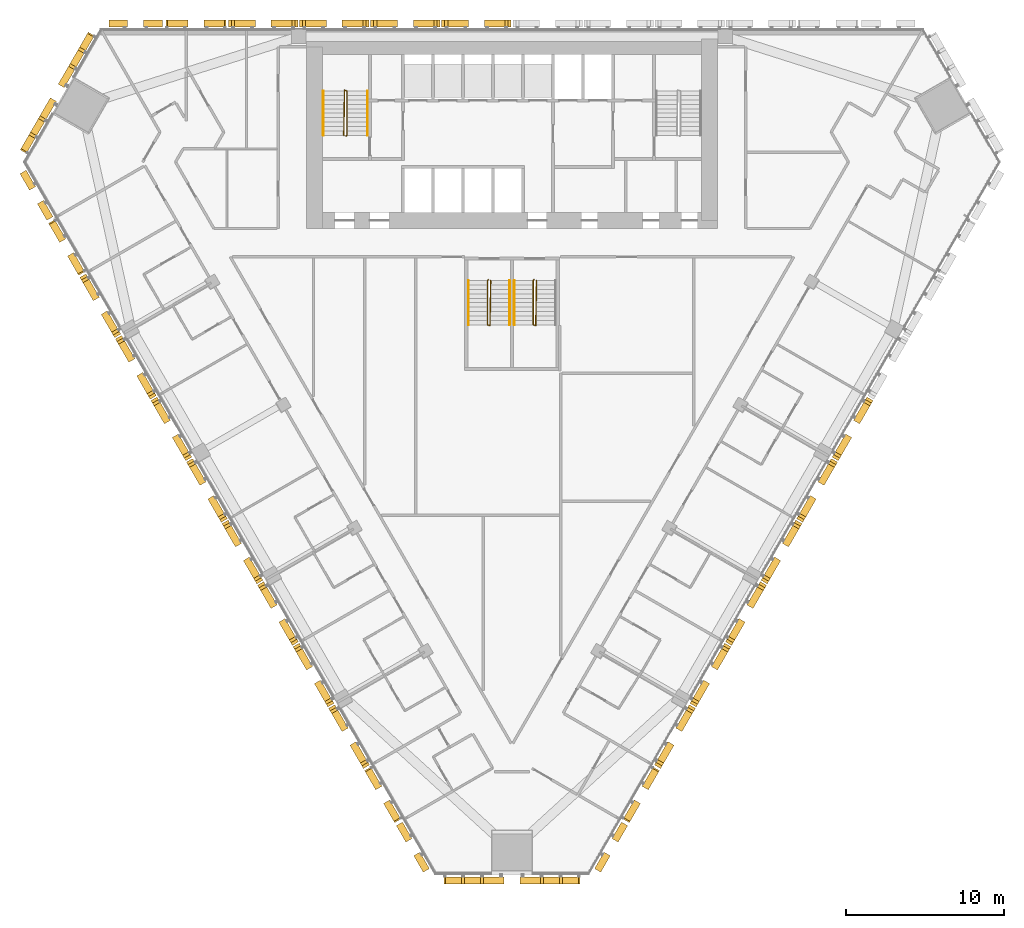
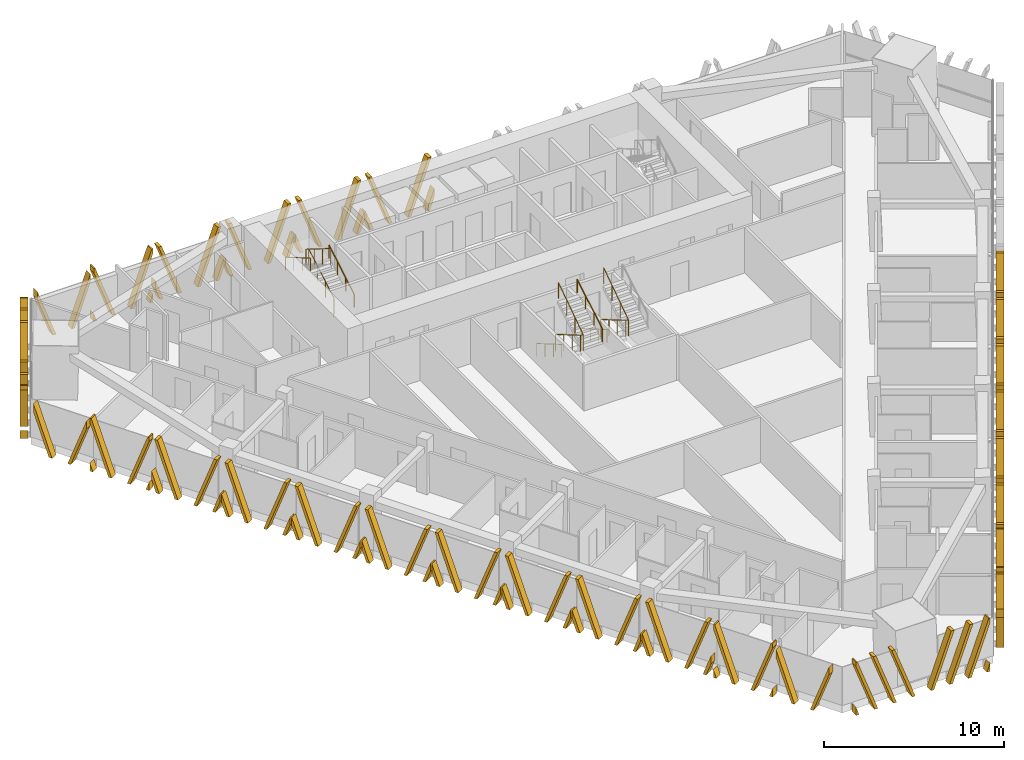
# One storey, part 16 of 18: 28 shading devices, 8 railings.
"""IFC4 building model written with IfcOpenShell, lengths in metres."""

from ifc_helpers import new_model, si_unit, direction, frame, origin, origin_2d, place, context, subcontext, project, spatial, polyline, circle, outline, extrude, source, transform, mapped, material, type_object, element, save


model = new_model("IFC4")

# Units and contexts
model_context = context("Model", 3, precision=1e-05, world=origin(), true_north=direction((0.0, 1.0)))
body_context = subcontext(model_context, "Body", "Model", "MODEL_VIEW")
ifc_project = project(units=[si_unit("LENGTHUNIT", "METRE"), si_unit("AREAUNIT", "SQUARE_METRE"), si_unit("VOLUMEUNIT", "CUBIC_METRE"), si_unit("PLANEANGLEUNIT", "RADIAN"), si_unit("MASSUNIT", "GRAM", prefix="KILO")], contexts=[model_context])

# Site, building, storey
site_placement = place(None, origin())
site = spatial("IfcSite", under=ifc_project, at=site_placement, CompositionType="ELEMENT")
building_placement = place(site_placement, origin())
building = spatial("IfcBuilding", under=site, at=building_placement, Name="Altiplano Prism Tower", CompositionType="ELEMENT")
storey_placement = place(building_placement, frame((0.0, 0.0, 41.39990234375)))
storey = spatial("IfcBuildingStorey", under=building, at=storey_placement, Name="L09", CompositionType="ELEMENT", Elevation=41.39990234375)

# Railings
ifc_material_1 = material(Name="Steel S355", Category="steel")
railing_type_1 = type_object("IfcRailingType", Name="Stair guard 1100", PredefinedType="GUARDRAIL", material=ifc_material_1)
railing_1_placement = place(storey_placement, frame((74.5, 98.25, 0.0)))
element("IfcRailing", 1, at=railing_1_placement, inside=storey, type_object=railing_type_1, Name="L09 ST1 stair guard 1", PredefinedType="GUARDRAIL", context=body_context, shape_type="SweptSolid", body=[
    extrude(circle(Radius=0.02392578125, at=origin_2d()), frame((0.0, 0.0, 1.076171875), z_axis=(0.280456126637, 0.280456126637, 0.917980785237), x_axis=(-0.707106781187, 0.707106781187, 0.0)), (0.0, 0.0, 1.0), 0.178466796875),
    extrude(circle(Radius=0.02392578125, at=origin_2d()), frame((0.050048828125, 0.050048828125, 1.23974609375), z_axis=(0.0, 0.863393664356, 0.504530851732), x_axis=(-1.0, 0.0, 0.0)), (0.0, 0.0, 1.0), 3.2431640625),
    extrude(circle(Radius=0.02392578125, at=origin_2d()), frame((0.050048828125, 2.85009765625, 2.8759765625), z_axis=(-0.949145278916, 0.314838433982, 0.0), x_axis=(-0.314838433982, -0.949145278916, 0.0)), (0.0, 0.0, 1.0), 0.158203125),
    extrude(circle(Radius=0.02392578125, at=origin_2d()), frame((-0.10009765625, 2.89990234375, 2.8759765625), z_axis=(-0.01477401265, -0.845377694409, 0.533964682676), x_axis=(0.999847325713, -0.01747355902, 0.0)), (0.0, 0.0, 1.0), 3.37109375),
    extrude(circle(Radius=0.02099609375, at=origin_2d()), origin(), (0.0, 0.0, 1.0), 1.052001953125),
    extrude(circle(Radius=0.02099609375, at=origin_2d()), frame((0.050048828125, 0.050048828125, 0.163818359375)), (0.0, 0.0, 1.0), 1.052001953125),
    extrude(circle(Radius=0.02099609375, at=origin_2d()), frame((0.050048828125, 0.9833984375, 0.709228515625)), (0.0, 0.0, 1.0), 1.052001953125),
    extrude(circle(Radius=0.02099609375, at=origin_2d()), frame((0.050048828125, 1.916748046875, 1.254638671875)), (0.0, 0.0, 1.0), 1.052001953125),
    extrude(circle(Radius=0.02099609375, at=origin_2d()), frame((0.050048828125, 2.85009765625, 1.800048828125)), (0.0, 0.0, 1.0), 1.052001953125),
    extrude(circle(Radius=0.02099609375, at=origin_2d()), frame((-0.10009765625, 2.89990234375, 1.800048828125)), (0.0, 0.0, 1.0), 1.052001953125),
    extrude(circle(Radius=0.02099609375, at=origin_2d()), frame((-0.11669921875, 1.949951171875, 2.400146484375)), (0.0, 0.0, 1.0), 1.052001953125),
    extrude(circle(Radius=0.02099609375, at=origin_2d()), frame((-0.13330078125, 1.0, 3.0)), (0.0, 0.0, 1.0), 1.052001953125),
    extrude(circle(Radius=0.02099609375, at=origin_2d()), frame((-0.14990234375, 0.050048828125, 3.60009765625)), (0.0, 0.0, 1.0), 1.052001953125),
])
railing_2_placement = place(storey_placement, frame((83.5, 89.14990234375, 0.0)))
element("IfcRailing", 2, at=railing_2_placement, inside=storey, type_object=railing_type_1, Name="L09 ST3A stair guard 1", PredefinedType="GUARDRAIL", context=body_context, shape_type="SweptSolid", body=[
    extrude(circle(Radius=0.02392578125, at=origin_2d()), frame((0.0, 0.0, 1.076171875), z_axis=(-0.280563532951, -0.279194930351, 0.91833234444), x_axis=(0.705375805398, -0.708833529934, 0.0)), (0.0, 0.0, 1.0), 0.178466796875),
    extrude(circle(Radius=0.02392578125, at=origin_2d()), frame((-0.050048828125, -0.0498046875, 1.23974609375), z_axis=(0.0, -0.863393664356, 0.504530851732), x_axis=(1.0, 0.0, 0.0)), (0.0, 0.0, 1.0), 3.2431640625),
    extrude(circle(Radius=0.02392578125, at=origin_2d()), frame((-0.050048828125, -2.849853515625, 2.8759765625), z_axis=(0.948683298051, -0.316227766017, 0.0), x_axis=(0.316227766017, 0.948683298051, 0.0)), (0.0, 0.0, 1.0), 0.158203125),
    extrude(circle(Radius=0.02392578125, at=origin_2d()), frame((0.10009765625, -2.89990234375, 2.8759765625), z_axis=(0.014773108175, 0.84539835705, 0.533931993021), x_axis=(-0.999847351862, 0.017472062685, 0.0)), (0.0, 0.0, 1.0), 3.371337890625),
    extrude(circle(Radius=0.02099609375, at=origin_2d()), origin(), (0.0, 0.0, 1.0), 1.052001953125),
    extrude(circle(Radius=0.02099609375, at=origin_2d()), frame((-0.050048828125, -0.0498046875, 0.163818359375)), (0.0, 0.0, 1.0), 1.052001953125),
    extrude(circle(Radius=0.02099609375, at=origin_2d()), frame((-0.050048828125, -0.983154296875, 0.709228515625)), (0.0, 0.0, 1.0), 1.052001953125),
    extrude(circle(Radius=0.02099609375, at=origin_2d()), frame((-0.050048828125, -1.91650390625, 1.254638671875)), (0.0, 0.0, 1.0), 1.052001953125),
    extrude(circle(Radius=0.02099609375, at=origin_2d()), frame((-0.050048828125, -2.849853515625, 1.800048828125)), (0.0, 0.0, 1.0), 1.052001953125),
    extrude(circle(Radius=0.02099609375, at=origin_2d()), frame((0.10009765625, -2.89990234375, 1.800048828125)), (0.0, 0.0, 1.0), 1.052001953125),
    extrude(circle(Radius=0.02099609375, at=origin_2d()), frame((0.11669921875, -1.949951171875, 2.400146484375)), (0.0, 0.0, 1.0), 1.052001953125),
    extrude(circle(Radius=0.02099609375, at=origin_2d()), frame((0.13330078125, -0.999755859375, 3.0)), (0.0, 0.0, 1.0), 1.052001953125),
    extrude(circle(Radius=0.02099609375, at=origin_2d()), frame((0.14990234375, -0.0498046875, 3.60009765625)), (0.0, 0.0, 1.0), 1.052001953125),
])
railing_3_placement = place(storey_placement, frame((86.39990234375, 89.14990234375, 0.0)))
element("IfcRailing", 3, at=railing_3_placement, inside=storey, type_object=railing_type_1, Name="L09 ST3B stair guard 1", PredefinedType="GUARDRAIL", context=body_context, shape_type="SweptSolid", body=[
    extrude(circle(Radius=0.02392578125, at=origin_2d()), frame((0.0, 0.0, 1.076171875), z_axis=(-0.279301935624, -0.279301935624, 0.918684307863), x_axis=(0.707106781187, -0.707106781187, 0.0)), (0.0, 0.0, 1.0), 0.17822265625),
    extrude(circle(Radius=0.02392578125, at=origin_2d()), frame((-0.0498046875, -0.0498046875, 1.23974609375), z_axis=(0.0, -0.863393664356, 0.504530851732), x_axis=(1.0, 0.0, 0.0)), (0.0, 0.0, 1.0), 3.2431640625),
    extrude(circle(Radius=0.02392578125, at=origin_2d()), frame((-0.0498046875, -2.849853515625, 2.8759765625), z_axis=(0.948528701346, -0.316691178788, 0.0), x_axis=(0.316691178788, 0.948528701346, 0.0)), (0.0, 0.0, 1.0), 0.157958984375),
    extrude(circle(Radius=0.02392578125, at=origin_2d()), frame((0.10009765625, -2.89990234375, 2.8759765625), z_axis=(0.014845509451, 0.845397450405, 0.533931420407), x_axis=(-0.999845851991, 0.017557683712, 0.0)), (0.0, 0.0, 1.0), 3.371337890625),
    extrude(circle(Radius=0.02099609375, at=origin_2d()), origin(), (0.0, 0.0, 1.0), 1.052001953125),
    extrude(circle(Radius=0.02099609375, at=origin_2d()), frame((-0.0498046875, -0.0498046875, 0.163818359375)), (0.0, 0.0, 1.0), 1.052001953125),
    extrude(circle(Radius=0.02099609375, at=origin_2d()), frame((-0.0498046875, -0.983154296875, 0.709228515625)), (0.0, 0.0, 1.0), 1.052001953125),
    extrude(circle(Radius=0.02099609375, at=origin_2d()), frame((-0.0498046875, -1.91650390625, 1.254638671875)), (0.0, 0.0, 1.0), 1.052001953125),
    extrude(circle(Radius=0.02099609375, at=origin_2d()), frame((-0.0498046875, -2.849853515625, 1.800048828125)), (0.0, 0.0, 1.0), 1.052001953125),
    extrude(circle(Radius=0.02099609375, at=origin_2d()), frame((0.10009765625, -2.89990234375, 1.800048828125)), (0.0, 0.0, 1.0), 1.052001953125),
    extrude(circle(Radius=0.02099609375, at=origin_2d()), frame((0.11669921875, -1.949951171875, 2.400146484375)), (0.0, 0.0, 1.0), 1.052001953125),
    extrude(circle(Radius=0.02099609375, at=origin_2d()), frame((0.133544921875, -0.999755859375, 3.0)), (0.0, 0.0, 1.0), 1.052001953125),
    extrude(circle(Radius=0.02099609375, at=origin_2d()), frame((0.150146484375, -0.0498046875, 3.60009765625)), (0.0, 0.0, 1.0), 1.052001953125),
])
railing_type_2 = type_object("IfcRailingType", Name="Stair handrail 900", PredefinedType="HANDRAIL", material=ifc_material_1)
railing_4_placement = place(storey_placement, frame((75.85009765625, 98.300048828125, 0.163818359375)))
element("IfcRailing", 4, at=railing_4_placement, inside=storey, type_object=railing_type_2, Name="L09 ST1 stair handrail 1", PredefinedType="HANDRAIL", context=body_context, shape_type="SweptSolid", body=[
    extrude(circle(Radius=0.02392578125, at=origin_2d()), frame((0.0, 0.0, 0.8759765625), z_axis=(0.0, 0.863393664356, 0.504530851732), x_axis=(-1.0, 0.0, 0.0)), (0.0, 0.0, 1.0), 3.2431640625),
    extrude(circle(Radius=0.02099609375, at=origin_2d()), origin(), (0.0, 0.0, 1.0), 0.851806640625),
    extrude(circle(Radius=0.02099609375, at=origin_2d()), frame((0.0, 0.933349609375, 0.54541015625)), (0.0, 0.0, 1.0), 0.851806640625),
    extrude(circle(Radius=0.02099609375, at=origin_2d()), frame((0.0, 1.86669921875, 1.0908203125)), (0.0, 0.0, 1.0), 0.851806640625),
    extrude(circle(Radius=0.02099609375, at=origin_2d()), frame((0.0, 2.800048828125, 1.63623046875)), (0.0, 0.0, 1.0), 0.851806640625),
])
railing_5_placement = place(storey_placement, frame((73.050048828125, 101.10009765625, 1.963623046875)))
element("IfcRailing", 5, at=railing_5_placement, inside=storey, type_object=railing_type_2, Name="L09 ST1 stair handrail 2", PredefinedType="HANDRAIL", context=body_context, shape_type="SweptSolid", body=[
    extrude(circle(Radius=0.02392578125, at=origin_2d()), frame((0.0, 0.0, 0.8759765625), z_axis=(0.0, -0.863360870873, 0.504586966384), x_axis=(1.0, 0.0, 0.0)), (0.0, 0.0, 1.0), 3.2431640625),
    extrude(circle(Radius=0.02099609375, at=origin_2d()), origin(), (0.0, 0.0, 1.0), 0.851806640625),
    extrude(circle(Radius=0.02099609375, at=origin_2d()), frame((0.0, -0.933349609375, 0.54541015625)), (0.0, 0.0, 1.0), 0.851806640625),
    extrude(circle(Radius=0.02099609375, at=origin_2d()), frame((0.0, -1.86669921875, 1.091064453125)), (0.0, 0.0, 1.0), 0.851806640625),
    extrude(circle(Radius=0.02099609375, at=origin_2d()), frame((0.0, -2.800048828125, 1.636474609375)), (0.0, 0.0, 1.0), 0.851806640625),
])
railing_6_placement = place(storey_placement, frame((82.25, 89.10009765625, 0.163818359375)))
element("IfcRailing", 6, at=railing_6_placement, inside=storey, type_object=railing_type_2, Name="L09 ST3A stair handrail 1", PredefinedType="HANDRAIL", context=body_context, shape_type="SweptSolid", body=[
    extrude(circle(Radius=0.02392578125, at=origin_2d()), frame((0.0, 0.0, 0.8759765625), z_axis=(0.0, -0.863393664356, 0.504530851732), x_axis=(1.0, 0.0, 0.0)), (0.0, 0.0, 1.0), 3.2431640625),
    extrude(circle(Radius=0.02099609375, at=origin_2d()), origin(), (0.0, 0.0, 1.0), 0.851806640625),
    extrude(circle(Radius=0.02099609375, at=origin_2d()), frame((0.0, -0.933349609375, 0.54541015625)), (0.0, 0.0, 1.0), 0.851806640625),
    extrude(circle(Radius=0.02099609375, at=origin_2d()), frame((0.0, -1.86669921875, 1.0908203125)), (0.0, 0.0, 1.0), 0.851806640625),
    extrude(circle(Radius=0.02099609375, at=origin_2d()), frame((0.0, -2.800048828125, 1.63623046875)), (0.0, 0.0, 1.0), 0.851806640625),
])
railing_7_placement = place(storey_placement, frame((84.85009765625, 86.300048828125, 1.963623046875)))
element("IfcRailing", 7, at=railing_7_placement, inside=storey, type_object=railing_type_2, Name="L09 ST3A stair handrail 2", PredefinedType="HANDRAIL", context=body_context, shape_type="SweptSolid", body=[
    extrude(circle(Radius=0.02392578125, at=origin_2d()), frame((0.0, 0.0, 0.8759765625), z_axis=(0.0, 0.863360870873, 0.504586966384), x_axis=(-1.0, 0.0, 0.0)), (0.0, 0.0, 1.0), 3.2431640625),
    extrude(circle(Radius=0.02099609375, at=origin_2d()), origin(), (0.0, 0.0, 1.0), 0.851806640625),
    extrude(circle(Radius=0.02099609375, at=origin_2d()), frame((0.0, 0.933349609375, 0.54541015625)), (0.0, 0.0, 1.0), 0.851806640625),
    extrude(circle(Radius=0.02099609375, at=origin_2d()), frame((0.0, 1.86669921875, 1.091064453125)), (0.0, 0.0, 1.0), 0.851806640625),
    extrude(circle(Radius=0.02099609375, at=origin_2d()), frame((0.0, 2.800048828125, 1.636474609375)), (0.0, 0.0, 1.0), 0.851806640625),
])
railing_8_placement = place(storey_placement, frame((85.14990234375, 89.10009765625, 0.163818359375)))
element("IfcRailing", 8, at=railing_8_placement, inside=storey, type_object=railing_type_2, Name="L09 ST3B stair handrail 1", PredefinedType="HANDRAIL", context=body_context, shape_type="SweptSolid", body=[
    extrude(circle(Radius=0.02392578125, at=origin_2d()), frame((0.0, 0.0, 0.8759765625), z_axis=(0.0, -0.863393664356, 0.504530851732), x_axis=(1.0, 0.0, 0.0)), (0.0, 0.0, 1.0), 3.2431640625),
    extrude(circle(Radius=0.02099609375, at=origin_2d()), origin(), (0.0, 0.0, 1.0), 0.851806640625),
    extrude(circle(Radius=0.02099609375, at=origin_2d()), frame((0.0, -0.933349609375, 0.54541015625)), (0.0, 0.0, 1.0), 0.851806640625),
    extrude(circle(Radius=0.02099609375, at=origin_2d()), frame((0.0, -1.86669921875, 1.0908203125)), (0.0, 0.0, 1.0), 0.851806640625),
    extrude(circle(Radius=0.02099609375, at=origin_2d()), frame((0.0, -2.800048828125, 1.63623046875)), (0.0, 0.0, 1.0), 0.851806640625),
])

# Shading devices
ifc_material_2 = material(Name="Warm limestone cast stone", Category="masonry")
shading_device_type_1 = type_object("IfcShadingDeviceType", Name="Stone fin panel, standard unit", PredefinedType="USERDEFINED", material=ifc_material_2)
shared_shape_1 = source(origin(), body_context, "Body", "SweptSolid", [
    extrude(outline(polyline([(-2.199951171875, 1.373779296875), (-2.199951171875, 0.82421875), (-1.89990234375, 0.0), (-1.699951171875, 0.0), (-2.199951171875, 1.373779296875)])), frame((0.0, -0.14990234375, 0.0), z_axis=(0.0, -1.0, 0.0), x_axis=(1.0, 0.0, 0.0)), (0.0, 0.0, 1.0), 0.4501953125),
    extrude(outline(polyline([(-2.01025390625, 3.60009765625), (-0.699951171875, 0.0), (-0.5, 0.0), (-1.810302734375, 3.60009765625), (-2.01025390625, 3.60009765625)])), frame((0.0, -0.14990234375, 0.0), z_axis=(0.0, -1.0, 0.0), x_axis=(1.0, 0.0, 0.0)), (0.0, 0.0, 1.0), 0.4501953125),
    extrude(outline(polyline([(1.810302734375, 3.60009765625), (0.5, 0.0), (0.699951171875, 0.0), (2.01025390625, 3.60009765625), (1.810302734375, 3.60009765625)])), frame((0.0, -0.14990234375, 0.0), z_axis=(0.0, -1.0, 0.0), x_axis=(1.0, 0.0, 0.0)), (0.0, 0.0, 1.0), 0.4501953125),
    extrude(outline(polyline([(2.199951171875, 0.82421875), (2.199951171875, 1.373779296875), (1.699951171875, 0.0), (1.89990234375, 0.0), (2.199951171875, 0.82421875)])), frame((0.0, -0.14990234375, 0.0), z_axis=(0.0, -1.0, 0.0), x_axis=(1.0, 0.0, 0.0)), (0.0, 0.0, 1.0), 0.4501953125),
])
shading_device_1_placement = place(storey_placement, origin())
element("IfcShadingDevice", 9, at=shading_device_1_placement, inside=storey, type_object=shading_device_type_1, Name="Fin L09 north face 7", ObjectType="FIN", PredefinedType="USERDEFINED", context=body_context, shape_type="MappedRepresentation", body=[
    mapped(shared_shape_1, transform((82.75, 105.0, -0.5), x_axis=(-1.0, 0.0, 0.0), y_axis=(0.0, -1.0, 0.0), z_axis=(0.0, 0.0, 1.0))),
])
shading_device_2_placement = place(storey_placement, origin())
element("IfcShadingDevice", 10, at=shading_device_2_placement, inside=storey, type_object=shading_device_type_1, Name="Fin L09 north face 8", ObjectType="FIN", PredefinedType="USERDEFINED", context=body_context, shape_type="MappedRepresentation", body=[
    mapped(shared_shape_1, transform((78.25, 105.0, -0.5), x_axis=(-1.0, 0.0, 0.0), y_axis=(0.0, -1.0, 0.0), z_axis=(0.0, 0.0, 1.0))),
])
shading_device_3_placement = place(storey_placement, origin())
element("IfcShadingDevice", 11, at=shading_device_3_placement, inside=storey, type_object=shading_device_type_1, Name="Fin L09 north face 9", ObjectType="FIN", PredefinedType="USERDEFINED", context=body_context, shape_type="MappedRepresentation", body=[
    mapped(shared_shape_1, transform((73.75, 105.0, -0.5), x_axis=(-1.0, 0.0, 0.0), y_axis=(0.0, -1.0, 0.0), z_axis=(0.0, 0.0, 1.0))),
])
shading_device_4_placement = place(storey_placement, origin())
element("IfcShadingDevice", 12, at=shading_device_4_placement, inside=storey, type_object=shading_device_type_1, Name="Fin L09 north face 10", ObjectType="FIN", PredefinedType="USERDEFINED", context=body_context, shape_type="MappedRepresentation", body=[
    mapped(shared_shape_1, transform((69.25, 105.0, -0.5), x_axis=(-1.0, 0.0, 0.0), y_axis=(0.0, -1.0, 0.0), z_axis=(0.0, 0.0, 1.0))),
])
shading_device_5_placement = place(storey_placement, origin())
element("IfcShadingDevice", 13, at=shading_device_5_placement, inside=storey, type_object=shading_device_type_1, Name="Fin L09 south-west face 3", ObjectType="FIN", PredefinedType="USERDEFINED", context=body_context, shape_type="MappedRepresentation", body=[
    mapped(shared_shape_1, transform((59.258544921875, 87.694091796875, -0.5), x_axis=(0.499999999907, -0.866025403838, 0.0), y_axis=(0.866025403838, 0.499999999907, 0.0), z_axis=(0.0, 0.0, 1.0))),
])
shading_device_6_placement = place(storey_placement, origin())
element("IfcShadingDevice", 14, at=shading_device_6_placement, inside=storey, type_object=shading_device_type_1, Name="Fin L09 south-west face 4", ObjectType="FIN", PredefinedType="USERDEFINED", context=body_context, shape_type="MappedRepresentation", body=[
    mapped(shared_shape_1, transform((61.508544921875, 83.796875, -0.5), x_axis=(0.499999999907, -0.866025403838, 0.0), y_axis=(0.866025403838, 0.499999999907, 0.0), z_axis=(0.0, 0.0, 1.0))),
])
shading_device_7_placement = place(storey_placement, origin())
element("IfcShadingDevice", 15, at=shading_device_7_placement, inside=storey, type_object=shading_device_type_1, Name="Fin L09 south-west face 5", ObjectType="FIN", PredefinedType="USERDEFINED", context=body_context, shape_type="MappedRepresentation", body=[
    mapped(shared_shape_1, transform((63.758544921875, 79.89990234375, -0.5), x_axis=(0.499999999907, -0.866025403838, 0.0), y_axis=(0.866025403838, 0.499999999907, 0.0), z_axis=(0.0, 0.0, 1.0))),
])
shading_device_8_placement = place(storey_placement, origin())
element("IfcShadingDevice", 16, at=shading_device_8_placement, inside=storey, type_object=shading_device_type_1, Name="Fin L09 south-west face 6", ObjectType="FIN", PredefinedType="USERDEFINED", context=body_context, shape_type="MappedRepresentation", body=[
    mapped(shared_shape_1, transform((66.008544921875, 76.002685546875, -0.5), x_axis=(0.499999999907, -0.866025403838, 0.0), y_axis=(0.866025403838, 0.499999999907, 0.0), z_axis=(0.0, 0.0, 1.0))),
])
shading_device_9_placement = place(storey_placement, origin())
element("IfcShadingDevice", 17, at=shading_device_9_placement, inside=storey, type_object=shading_device_type_1, Name="Fin L09 south-west face 7", ObjectType="FIN", PredefinedType="USERDEFINED", context=body_context, shape_type="MappedRepresentation", body=[
    mapped(shared_shape_1, transform((68.258544921875, 72.105712890625, -0.5), x_axis=(0.499999999907, -0.866025403838, 0.0), y_axis=(0.866025403838, 0.499999999907, 0.0), z_axis=(0.0, 0.0, 1.0))),
])
shading_device_10_placement = place(storey_placement, origin())
element("IfcShadingDevice", 18, at=shading_device_10_placement, inside=storey, type_object=shading_device_type_1, Name="Fin L09 south-west face 8", ObjectType="FIN", PredefinedType="USERDEFINED", context=body_context, shape_type="MappedRepresentation", body=[
    mapped(shared_shape_1, transform((70.508544921875, 68.20849609375, -0.5), x_axis=(0.499999999907, -0.866025403838, 0.0), y_axis=(0.866025403838, 0.499999999907, 0.0), z_axis=(0.0, 0.0, 1.0))),
])
shading_device_11_placement = place(storey_placement, origin())
element("IfcShadingDevice", 19, at=shading_device_11_placement, inside=storey, type_object=shading_device_type_1, Name="Fin L09 south-west face 9", ObjectType="FIN", PredefinedType="USERDEFINED", context=body_context, shape_type="MappedRepresentation", body=[
    mapped(shared_shape_1, transform((72.758544921875, 64.311279296875, -0.5), x_axis=(0.499999999907, -0.866025403838, 0.0), y_axis=(0.866025403838, 0.499999999907, 0.0), z_axis=(0.0, 0.0, 1.0))),
])
shading_device_12_placement = place(storey_placement, origin())
element("IfcShadingDevice", 20, at=shading_device_12_placement, inside=storey, type_object=shading_device_type_1, Name="Fin L09 south-west face 10", ObjectType="FIN", PredefinedType="USERDEFINED", context=body_context, shape_type="MappedRepresentation", body=[
    mapped(shared_shape_1, transform((75.008544921875, 60.414306640625, -0.5), x_axis=(0.499999999907, -0.866025403838, 0.0), y_axis=(0.866025403838, 0.499999999907, 0.0), z_axis=(0.0, 0.0, 1.0))),
])
shading_device_13_placement = place(storey_placement, origin())
element("IfcShadingDevice", 21, at=shading_device_13_placement, inside=storey, type_object=shading_device_type_1, Name="Fin L09 south-east face 3", ObjectType="FIN", PredefinedType="USERDEFINED", context=body_context, shape_type="MappedRepresentation", body=[
    mapped(shared_shape_1, transform((94.991455078125, 60.414306640625, -0.5), x_axis=(0.499999999907, 0.866025403838, 0.0), y_axis=(-0.866025403838, 0.499999999907, 0.0), z_axis=(0.0, 0.0, 1.0))),
])
shading_device_14_placement = place(storey_placement, origin())
element("IfcShadingDevice", 22, at=shading_device_14_placement, inside=storey, type_object=shading_device_type_1, Name="Fin L09 south-east face 4", ObjectType="FIN", PredefinedType="USERDEFINED", context=body_context, shape_type="MappedRepresentation", body=[
    mapped(shared_shape_1, transform((97.241455078125, 64.311279296875, -0.5), x_axis=(0.499999999907, 0.866025403838, 0.0), y_axis=(-0.866025403838, 0.499999999907, 0.0), z_axis=(0.0, 0.0, 1.0))),
])
shading_device_15_placement = place(storey_placement, origin())
element("IfcShadingDevice", 23, at=shading_device_15_placement, inside=storey, type_object=shading_device_type_1, Name="Fin L09 south-east face 5", ObjectType="FIN", PredefinedType="USERDEFINED", context=body_context, shape_type="MappedRepresentation", body=[
    mapped(shared_shape_1, transform((99.491455078125, 68.20849609375, -0.5), x_axis=(0.499999999907, 0.866025403838, 0.0), y_axis=(-0.866025403838, 0.499999999907, 0.0), z_axis=(0.0, 0.0, 1.0))),
])
shading_device_16_placement = place(storey_placement, origin())
element("IfcShadingDevice", 24, at=shading_device_16_placement, inside=storey, type_object=shading_device_type_1, Name="Fin L09 south-east face 6", ObjectType="FIN", PredefinedType="USERDEFINED", context=body_context, shape_type="MappedRepresentation", body=[
    mapped(shared_shape_1, transform((101.741455078125, 72.105712890625, -0.5), x_axis=(0.499999999907, 0.866025403838, 0.0), y_axis=(-0.866025403838, 0.499999999907, 0.0), z_axis=(0.0, 0.0, 1.0))),
])
shading_device_17_placement = place(storey_placement, origin())
element("IfcShadingDevice", 25, at=shading_device_17_placement, inside=storey, type_object=shading_device_type_1, Name="Fin L09 south-east face 7", ObjectType="FIN", PredefinedType="USERDEFINED", context=body_context, shape_type="MappedRepresentation", body=[
    mapped(shared_shape_1, transform((103.991455078125, 76.002685546875, -0.5), x_axis=(0.499999999907, 0.866025403838, 0.0), y_axis=(-0.866025403838, 0.499999999907, 0.0), z_axis=(0.0, 0.0, 1.0))),
])
shading_device_18_placement = place(storey_placement, origin())
element("IfcShadingDevice", 26, at=shading_device_18_placement, inside=storey, type_object=shading_device_type_1, Name="Fin L09 south-east face 8", ObjectType="FIN", PredefinedType="USERDEFINED", context=body_context, shape_type="MappedRepresentation", body=[
    mapped(shared_shape_1, transform((106.241455078125, 79.89990234375, -0.5), x_axis=(0.499999999907, 0.866025403838, 0.0), y_axis=(-0.866025403838, 0.499999999907, 0.0), z_axis=(0.0, 0.0, 1.0))),
])
shading_device_type_2 = type_object("IfcShadingDeviceType", Name="Stone fin panel, narrow closing bay", PredefinedType="USERDEFINED", material=ifc_material_2)
shared_shape_2 = source(origin(), body_context, "Body", "SweptSolid", [
    extrude(outline(polyline([(-1.699951171875, 3.297119140625), (-1.699951171875, 2.74755859375), (-0.699951171875, 0.0), (-0.5, 0.0), (-1.699951171875, 3.297119140625)])), frame((0.0, -0.14990234375, 0.0), z_axis=(0.0, -1.0, 0.0), x_axis=(1.0, 0.0, 0.0)), (0.0, 0.0, 1.0), 0.4501953125),
    extrude(outline(polyline([(1.699951171875, 2.74755859375), (1.699951171875, 3.297119140625), (0.5, 0.0), (0.699951171875, 0.0), (1.699951171875, 2.74755859375)])), frame((0.0, -0.14990234375, 0.0), z_axis=(0.0, -1.0, 0.0), x_axis=(1.0, 0.0, 0.0)), (0.0, 0.0, 1.0), 0.4501953125),
])
shading_device_19_placement = place(storey_placement, origin())
element("IfcShadingDevice", 27, at=shading_device_19_placement, inside=storey, type_object=shading_device_type_2, Name="Fin L09 north face 12", ObjectType="FIN", PredefinedType="USERDEFINED", context=body_context, shape_type="MappedRepresentation", body=[
    mapped(shared_shape_2, transform((61.169189453125, 105.0, -0.5), x_axis=(-1.0, 0.0, 0.0), y_axis=(0.0, -1.0, 0.0), z_axis=(0.0, 0.0, 1.0))),
])
shading_device_20_placement = place(storey_placement, origin())
element("IfcShadingDevice", 28, at=shading_device_20_placement, inside=storey, type_object=shading_device_type_2, Name="Fin L09 south-west face 1", ObjectType="FIN", PredefinedType="USERDEFINED", context=body_context, shape_type="MappedRepresentation", body=[
    mapped(shared_shape_2, transform((55.218017578125, 94.692138671875, -0.5), x_axis=(0.499999999907, -0.866025403838, 0.0), y_axis=(0.866025403838, 0.499999999907, 0.0), z_axis=(0.0, 0.0, 1.0))),
])
shading_device_21_placement = place(storey_placement, origin())
element("IfcShadingDevice", 29, at=shading_device_21_placement, inside=storey, type_object=shading_device_type_2, Name="Fin L09 south-west face 12", ObjectType="FIN", PredefinedType="USERDEFINED", context=body_context, shape_type="MappedRepresentation", body=[
    mapped(shared_shape_2, transform((79.048828125, 53.416015625, -0.5), x_axis=(0.499999999907, -0.866025403838, 0.0), y_axis=(0.866025403838, 0.499999999907, 0.0), z_axis=(0.0, 0.0, 1.0))),
])
shading_device_22_placement = place(storey_placement, origin())
element("IfcShadingDevice", 30, at=shading_device_22_placement, inside=storey, type_object=shading_device_type_2, Name="Fin L09 south-east face 1", ObjectType="FIN", PredefinedType="USERDEFINED", context=body_context, shape_type="MappedRepresentation", body=[
    mapped(shared_shape_2, transform((90.951171875, 53.416015625, -0.5), x_axis=(0.499999999907, 0.866025403838, 0.0), y_axis=(-0.866025403838, 0.499999999907, 0.0), z_axis=(0.0, 0.0, 1.0))),
])
shared_shape_3 = source(origin(), body_context, "Body", "SweptSolid", [
    extrude(outline(polyline([(-1.89990234375, 3.60009765625), (-1.89990234375, 3.297119140625), (-0.699951171875, 0.0), (-0.5, 0.0), (-1.810302734375, 3.60009765625), (-1.89990234375, 3.60009765625)])), frame((0.0, -0.14990234375, 0.0), z_axis=(0.0, -1.0, 0.0), x_axis=(1.0, 0.0, 0.0)), (0.0, 0.0, 1.0), 0.4501953125),
    extrude(outline(polyline([(-1.89990234375, 0.549560546875), (-1.89990234375, 0.0), (-1.699951171875, 0.0), (-1.89990234375, 0.549560546875)])), frame((0.0, -0.14990234375, 0.0), z_axis=(0.0, -1.0, 0.0), x_axis=(1.0, 0.0, 0.0)), (0.0, 0.0, 1.0), 0.4501953125),
    extrude(outline(polyline([(1.810302734375, 3.60009765625), (0.5, 0.0), (0.699951171875, 0.0), (1.89990234375, 3.297119140625), (1.89990234375, 3.60009765625), (1.810302734375, 3.60009765625)])), frame((0.0, -0.14990234375, 0.0), z_axis=(0.0, -1.0, 0.0), x_axis=(1.0, 0.0, 0.0)), (0.0, 0.0, 1.0), 0.4501953125),
    extrude(outline(polyline([(1.89990234375, 0.0), (1.89990234375, 0.549560546875), (1.699951171875, 0.0), (1.89990234375, 0.0)])), frame((0.0, -0.14990234375, 0.0), z_axis=(0.0, -1.0, 0.0), x_axis=(1.0, 0.0, 0.0)), (0.0, 0.0, 1.0), 0.4501953125),
])
shading_device_23_placement = place(storey_placement, origin())
element("IfcShadingDevice", 31, at=shading_device_23_placement, inside=storey, type_object=shading_device_type_2, Name="Fin L09 north face 11", ObjectType="FIN", PredefinedType="USERDEFINED", context=body_context, shape_type="MappedRepresentation", body=[
    mapped(shared_shape_3, transform((64.98974609375, 105.0, -0.5), x_axis=(-1.0, 0.0, 0.0), y_axis=(0.0, -1.0, 0.0), z_axis=(0.0, 0.0, 1.0))),
])
shading_device_24_placement = place(storey_placement, origin())
element("IfcShadingDevice", 32, at=shading_device_24_placement, inside=storey, type_object=shading_device_type_2, Name="Fin L09 south-west face 2", ObjectType="FIN", PredefinedType="USERDEFINED", context=body_context, shape_type="MappedRepresentation", body=[
    mapped(shared_shape_3, transform((57.12841796875, 91.383544921875, -0.5), x_axis=(0.499999999907, -0.866025403838, 0.0), y_axis=(0.866025403838, 0.499999999907, 0.0), z_axis=(0.0, 0.0, 1.0))),
])
shading_device_25_placement = place(storey_placement, origin())
element("IfcShadingDevice", 33, at=shading_device_25_placement, inside=storey, type_object=shading_device_type_2, Name="Fin L09 south-west face 11", ObjectType="FIN", PredefinedType="USERDEFINED", context=body_context, shape_type="MappedRepresentation", body=[
    mapped(shared_shape_3, transform((77.138671875, 56.724853515625, -0.5), x_axis=(0.499999999907, -0.866025403838, 0.0), y_axis=(0.866025403838, 0.499999999907, 0.0), z_axis=(0.0, 0.0, 1.0))),
])
shading_device_26_placement = place(storey_placement, origin())
element("IfcShadingDevice", 34, at=shading_device_26_placement, inside=storey, type_object=shading_device_type_2, Name="Fin L09 south-east face 2", ObjectType="FIN", PredefinedType="USERDEFINED", context=body_context, shape_type="MappedRepresentation", body=[
    mapped(shared_shape_3, transform((92.861328125, 56.724853515625, -0.5), x_axis=(0.499999999907, 0.866025403838, 0.0), y_axis=(-0.866025403838, 0.499999999907, 0.0), z_axis=(0.0, 0.0, 1.0))),
])
shading_device_type_3 = type_object("IfcShadingDeviceType", Name="Stone fin panel, chamfer unit", PredefinedType="USERDEFINED", material=ifc_material_2)
shared_shape_4 = source(origin(), body_context, "Body", "SweptSolid", [
    extrude(outline(polyline([(-4.300048828125, 3.60009765625), (-4.300048828125, 3.297119140625), (-3.10009765625, 0.0), (-2.89990234375, 0.0), (-4.210205078125, 3.60009765625), (-4.300048828125, 3.60009765625)])), frame((0.0, -0.14990234375, 0.0), z_axis=(0.0, -1.0, 0.0), x_axis=(1.0, 0.0, 0.0)), (0.0, 0.0, 1.0), 0.4501953125),
    extrude(outline(polyline([(-4.300048828125, 0.549560546875), (-4.300048828125, 0.0), (-4.10009765625, 0.0), (-4.300048828125, 0.549560546875)])), frame((0.0, -0.14990234375, 0.0), z_axis=(0.0, -1.0, 0.0), x_axis=(1.0, 0.0, 0.0)), (0.0, 0.0, 1.0), 0.4501953125),
    extrude(outline(polyline([(-3.210205078125, 3.60009765625), (-1.89990234375, 0.0), (-1.699951171875, 0.0), (-3.01025390625, 3.60009765625), (-3.210205078125, 3.60009765625)])), frame((0.0, -0.14990234375, 0.0), z_axis=(0.0, -1.0, 0.0), x_axis=(1.0, 0.0, 0.0)), (0.0, 0.0, 1.0), 0.4501953125),
    extrude(outline(polyline([(-2.01025390625, 3.60009765625), (-0.699951171875, 0.0), (-0.5, 0.0), (-1.810302734375, 3.60009765625), (-2.01025390625, 3.60009765625)])), frame((0.0, -0.14990234375, 0.0), z_axis=(0.0, -1.0, 0.0), x_axis=(1.0, 0.0, 0.0)), (0.0, 0.0, 1.0), 0.4501953125),
    extrude(outline(polyline([(1.810302734375, 3.60009765625), (0.5, 0.0), (0.699951171875, 0.0), (2.01025390625, 3.60009765625), (1.810302734375, 3.60009765625)])), frame((0.0, -0.14990234375, 0.0), z_axis=(0.0, -1.0, 0.0), x_axis=(1.0, 0.0, 0.0)), (0.0, 0.0, 1.0), 0.4501953125),
    extrude(outline(polyline([(3.01025390625, 3.60009765625), (1.699951171875, 0.0), (1.89990234375, 0.0), (3.210205078125, 3.60009765625), (3.01025390625, 3.60009765625)])), frame((0.0, -0.14990234375, 0.0), z_axis=(0.0, -1.0, 0.0), x_axis=(1.0, 0.0, 0.0)), (0.0, 0.0, 1.0), 0.4501953125),
    extrude(outline(polyline([(4.210205078125, 3.60009765625), (2.89990234375, 0.0), (3.10009765625, 0.0), (4.300048828125, 3.297119140625), (4.300048828125, 3.60009765625), (4.210205078125, 3.60009765625)])), frame((0.0, -0.14990234375, 0.0), z_axis=(0.0, -1.0, 0.0), x_axis=(1.0, 0.0, 0.0)), (0.0, 0.0, 1.0), 0.4501953125),
    extrude(outline(polyline([(4.300048828125, 0.0), (4.300048828125, 0.549560546875), (4.10009765625, 0.0), (4.300048828125, 0.0)])), frame((0.0, -0.14990234375, 0.0), z_axis=(0.0, -1.0, 0.0), x_axis=(1.0, 0.0, 0.0)), (0.0, 0.0, 1.0), 0.4501953125),
])
shading_device_27_placement = place(storey_placement, origin())
element("IfcShadingDevice", 35, at=shading_device_27_placement, inside=storey, type_object=shading_device_type_3, Name="Fin L09 north-west chamfer 1", ObjectType="FIN", PredefinedType="USERDEFINED", context=body_context, shape_type="MappedRepresentation", body=[
    mapped(shared_shape_4, transform((56.535888671875, 100.80322265625, -0.5), x_axis=(-0.500000006139, -0.86602540024, 0.0), y_axis=(0.86602540024, -0.500000006139, 0.0), z_axis=(0.0, 0.0, 1.0))),
])
shading_device_28_placement = place(storey_placement, origin())
element("IfcShadingDevice", 36, at=shading_device_28_placement, inside=storey, type_object=shading_device_type_3, Name="Fin L09 south chamfer 1", ObjectType="FIN", PredefinedType="USERDEFINED", context=body_context, shape_type="MappedRepresentation", body=[
    mapped(shared_shape_4, transform((85.0, 51.501953125, -0.5), x_axis=(1.0, 0.0, 0.0), y_axis=(0.0, 1.0, 0.0), z_axis=(0.0, 0.0, 1.0))),
])

save(model, "model.ifc")
